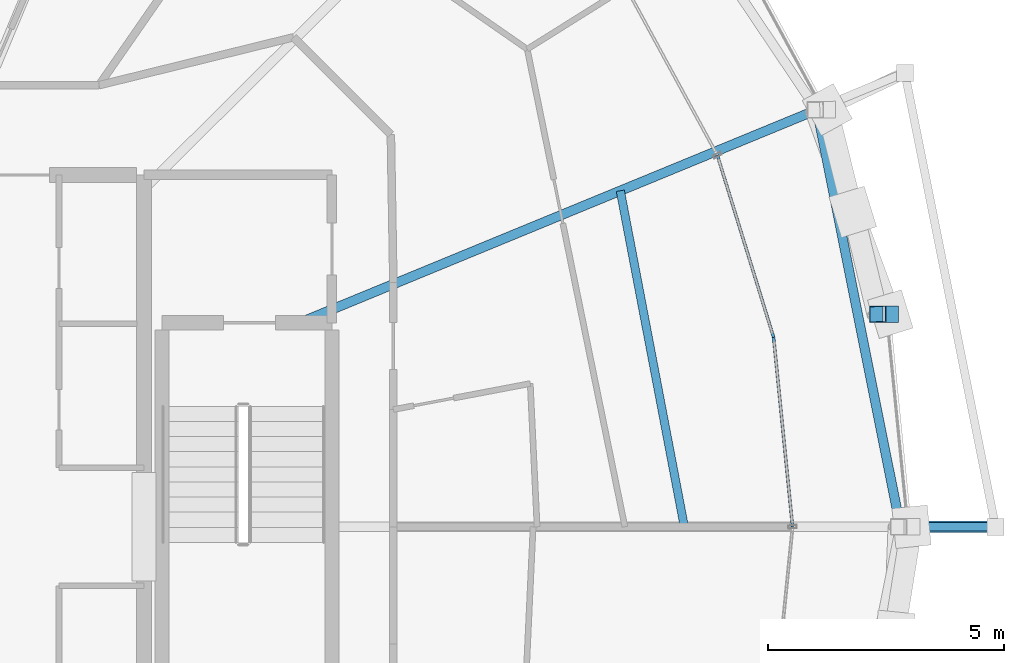
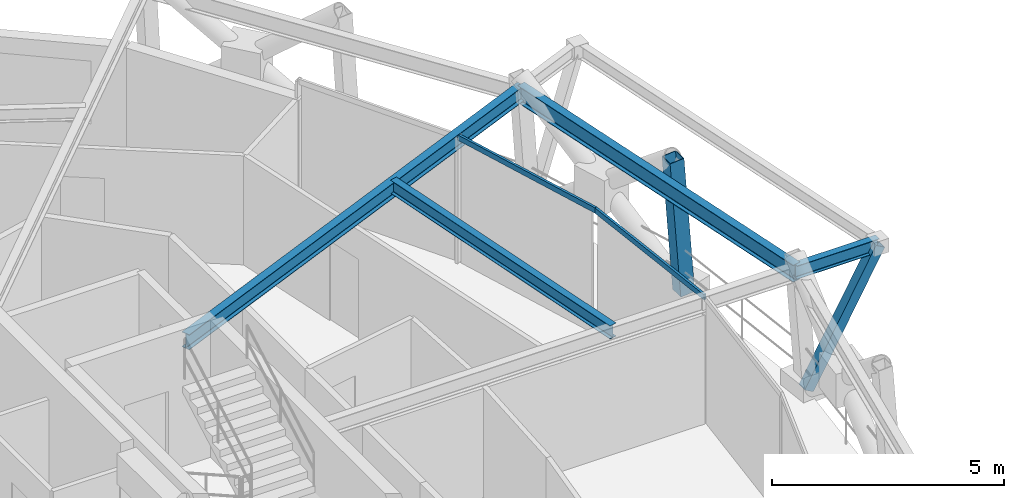
# One storey, part 8 of 18: 4 beams, 4 members, 1 element without a shape of its own.
"""IFC4 building model written with IfcOpenShell, lengths in metres."""

import ifcopenshell
import ifcopenshell.guid

model = None  # the IFC model being written
_history = None  # IfcOwnerHistory: only IFC2X3 demands one
_inside = {}  # id of a spatial element -> (the spatial element, [elements in it])
_under = {}  # id of a project, library or spatial element -> (it, [spatial elements below it])
_declared = {}  # id of a project -> (the project, [libraries it declares])
_typed = {}  # id of a type object -> (the type object, [elements of that type])
_made_of = {}  # id of a material, layer set ... -> (it, [elements and type objects made of it])


def new_model(schema):
    """Start an empty IFC model of exactly this schema.

    Asked for "IFC4X3", IfcOpenShell would pick the latest addendum, in which some entities
    have other attributes; the version numbers below select the first issue.
    IFC2X3 requires an IfcOwnerHistory on every rooted entity: one is made here for all.
    """
    global model, _history
    if schema == "IFC4X3":
        model = ifcopenshell.file(schema_version=(4, 3, 0, 0))
    else:
        model = ifcopenshell.file(schema=schema)
    _inside.clear()
    _under.clear()
    _declared.clear()
    _typed.clear()
    _made_of.clear()
    _history = None
    if model.schema == "IFC2X3":
        org = make("IfcOrganization", Name="unknown")
        user = make(
            "IfcPersonAndOrganization",
            ThePerson=make("IfcPerson", FamilyName="unknown"),
            TheOrganization=org,
        )
        app = make(
            "IfcApplication",
            ApplicationDeveloper=org,
            Version="unknown",
            ApplicationFullName="unknown",
            ApplicationIdentifier="unknown",
        )
        _history = make(
            "IfcOwnerHistory",
            OwningUser=user,
            OwningApplication=app,
            ChangeAction="ADDED",
            CreationDate=0,
        )
    return model


def make(cls, **values):
    """One entity of the class cls with the attributes given. An attribute that is None is left unset."""
    return model.create_entity(
        cls, **{name: value for name, value in values.items() if value is not None}
    )


def rooted(cls, **values):
    """An entity with a GlobalId (a new one), such as an element, a storey or a relation."""
    return make(cls, GlobalId=ifcopenshell.guid.new(), OwnerHistory=_history, **values)


def si_unit(unit_type, name, prefix=None):
    """IfcSIUnit, for example si_unit("LENGTHUNIT", "METRE", prefix="MILLI")."""
    return make("IfcSIUnit", UnitType=unit_type, Prefix=prefix, Name=name)


def assignment(units):
    """IfcUnitAssignment: the units of a project."""
    return None if units is None else make("IfcUnitAssignment", Units=units)


def point(xyz):
    """IfcCartesianPoint."""
    return None if xyz is None else make("IfcCartesianPoint", Coordinates=xyz)


def direction(xyz):
    """IfcDirection."""
    return None if xyz is None else make("IfcDirection", DirectionRatios=xyz)


def frame(location, z_axis=None, x_axis=None):
    """IfcAxis2Placement3D, a coordinate frame: its origin and axes. An axis left out is left unset."""
    return make(
        "IfcAxis2Placement3D",
        Location=point(location),
        Axis=direction(z_axis),
        RefDirection=direction(x_axis),
    )


def frame_2d(location, x_axis=None):
    """IfcAxis2Placement2D, a coordinate frame in the plane: its origin and x axis."""
    return make(
        "IfcAxis2Placement2D", Location=point(location), RefDirection=direction(x_axis)
    )


def origin():
    """The frame at (0, 0, 0) with its axes left unset."""
    return frame((0.0, 0.0, 0.0))


def origin_2d():
    """The frame at (0, 0) in the plane with its x axis left unset."""
    return frame_2d((0.0, 0.0))


def place(relative_to, where):
    """IfcLocalPlacement: puts the frame where relative to a parent placement (None: the world)."""
    return make(
        "IfcLocalPlacement", PlacementRelTo=relative_to, RelativePlacement=where
    )


def context(
    kind, dimensions, precision=None, world=None, true_north=None, identifier=None
):
    """IfcGeometricRepresentationContext, for example the 3D "Model" context."""
    return make(
        "IfcGeometricRepresentationContext",
        ContextIdentifier=identifier,
        ContextType=kind,
        CoordinateSpaceDimension=dimensions,
        Precision=precision,
        WorldCoordinateSystem=world,
        TrueNorth=true_north,
    )


def subcontext(parent, identifier, kind, view, scale=None):
    """IfcGeometricRepresentationSubContext, for example "Body" below "Model"."""
    return make(
        "IfcGeometricRepresentationSubContext",
        ContextIdentifier=identifier,
        ContextType=kind,
        ParentContext=parent,
        TargetScale=scale,
        TargetView=view,
    )


def project(units=None, contexts=None):
    """IfcProject with its units and contexts."""
    return rooted(
        "IfcProject",
        Name="project",
        RepresentationContexts=contexts,
        UnitsInContext=assignment(units),
    )


def spatial(cls, under=None, at=None, **own):
    """A site, building, storey or space (cls), placed at a placement, below another one or the project."""
    s = rooted(cls, ObjectPlacement=at, **own)
    if under is not None:
        _under.setdefault(under.id(), (under, []))[1].append(s)
    return s


def profile(cls, at=None, kind="AREA", **sizes):
    """A parametric profile (cls). Its sizes go by their IFC names, for example OverallWidth=200.0."""
    return make(cls, ProfileType=kind, Position=at, **sizes)


def hollow_rectangle(**sizes):
    """IfcRectangleHollowProfileDef."""
    return profile("IfcRectangleHollowProfileDef", **sizes)


def i_section(**sizes):
    """IfcIShapeProfileDef."""
    return profile("IfcIShapeProfileDef", **sizes)


def extrude(swept, where, along, depth):
    """IfcExtrudedAreaSolid: the profile swept, set in the frame where, extruded along a direction by depth."""
    return make(
        "IfcExtrudedAreaSolid",
        SweptArea=swept,
        Position=where,
        ExtrudedDirection=direction(along),
        Depth=depth,
    )


def shape(context_of_items, identifier, shape_type, items):
    """IfcShapeRepresentation: the items that make up one representation, for example the "Body"."""
    return make(
        "IfcShapeRepresentation",
        ContextOfItems=context_of_items,
        RepresentationIdentifier=identifier,
        RepresentationType=shape_type,
        Items=items,
    )


def material(Name=None, Category=None):
    """IfcMaterial."""
    return make("IfcMaterial", Name=Name, Category=Category)


def layer(
    of_material, thickness, ventilated=None, Name=None, Category=None, Priority=None
):
    """IfcMaterialLayer: one layer of a wall or slab, of a material (None: an air gap)."""
    return make(
        "IfcMaterialLayer",
        Material=of_material,
        LayerThickness=thickness,
        IsVentilated=ventilated,
        Name=Name,
        Category=Category,
        Priority=Priority,
    )


def layer_set(layers, Name=None):
    """IfcMaterialLayerSet."""
    return make("IfcMaterialLayerSet", MaterialLayers=layers, LayerSetName=Name)


def material_profile(
    of_material, cross_section, Name=None, Category=None, Priority=None
):
    """IfcMaterialProfile: a cross section and its material."""
    return make(
        "IfcMaterialProfile",
        Name=Name,
        Material=of_material,
        Profile=cross_section,
        Priority=Priority,
        Category=Category,
    )


def profile_set(profiles, Name=None, composite=None):
    """IfcMaterialProfileSet."""
    return make(
        "IfcMaterialProfileSet",
        Name=Name,
        MaterialProfiles=profiles,
        CompositeProfile=composite,
    )


def made_of(thing, what):
    """Note that an element or type object is made of a material, layer set ...; save() writes the relation."""
    if what is not None:
        _made_of.setdefault(what.id(), (what, []))[1].append(thing)
    return thing


def type_object(cls, material=None, **own):
    """A type object (cls), such as IfcWallType, which elements share."""
    return made_of(rooted(cls, **own), material)


def element(
    cls,
    number,
    at=None,
    inside=None,
    cuts=None,
    type_object=None,
    material=None,
    context=None,
    identifier="Body",
    shape_type=None,
    held_by="IfcProductDefinitionShape",
    body=None,
    shapes=None,
    **own,
):
    """One element of the class cls, such as IfcWall. Its Tag is "e" and its number.

    at: its placement. inside: the storey or other place that contains it. cuts: it is an
    opening in that element (IfcRelVoidsElement). A single representation is given by context,
    identifier, shape_type and body (its items); several are given by shapes. held_by: the class
    of the entity that holds the representations. save() writes the other relations.
    """
    e = rooted(cls, Tag="e%d" % number, ObjectPlacement=at, **own)
    if body is not None:
        shapes = [shape(context, identifier, shape_type, body)]
    if shapes is not None:
        e.Representation = make(held_by, Representations=shapes)
    if inside is not None:
        _inside.setdefault(inside.id(), (inside, []))[1].append(e)
    if cuts is not None:
        rooted(
            "IfcRelVoidsElement", RelatingBuildingElement=cuts, RelatedOpeningElement=e
        )
    if type_object is not None:
        _typed.setdefault(type_object.id(), (type_object, []))[1].append(e)
    return made_of(e, material)


def aggregate(whole, parts):
    """IfcRelAggregates: a whole, such as a stair, and the parts it consists of."""
    return rooted("IfcRelAggregates", RelatingObject=whole, RelatedObjects=parts)


def save(model, path):
    """Write the relations noted so far, then the file.

    IfcRelAggregates (storeys below a building ...), IfcRelContainedInSpatialStructure (elements
    in a storey), IfcRelDefinesByType, IfcRelAssociatesMaterial and IfcRelDeclares: one each for
    every whole, place, type object, material and project.
    """
    for whole, parts in _under.values():
        aggregate(whole, parts)
    for where, things in _inside.values():
        rooted(
            "IfcRelContainedInSpatialStructure",
            RelatedElements=things,
            RelatingStructure=where,
        )
    for kind, things in _typed.values():
        rooted("IfcRelDefinesByType", RelatedObjects=things, RelatingType=kind)
    for what, things in _made_of.values():
        rooted("IfcRelAssociatesMaterial", RelatedObjects=things, RelatingMaterial=what)
    for by, libraries in _declared.values():
        rooted("IfcRelDeclares", RelatingContext=by, RelatedDefinitions=libraries)
    model.write(path)


model = new_model("IFC4")

# Units and contexts
model_context = context("Model", 3, precision=1e-05, world=origin(), true_north=direction((0.0, 1.0)))
body_context = subcontext(model_context, "Body", "Model", "MODEL_VIEW")
ifc_project = project(units=[si_unit("LENGTHUNIT", "METRE"), si_unit("AREAUNIT", "SQUARE_METRE"), si_unit("VOLUMEUNIT", "CUBIC_METRE"), si_unit("PLANEANGLEUNIT", "RADIAN"), si_unit("MASSUNIT", "GRAM", prefix="KILO")], contexts=[model_context])

# Site, building, storey
site_placement = place(None, origin())
site = spatial("IfcSite", under=ifc_project, at=site_placement, CompositionType="ELEMENT")
building_placement = place(site_placement, origin())
building = spatial("IfcBuilding", under=site, at=building_placement, Name="Veldorina Hangang Commons", CompositionType="ELEMENT")
storey_placement = place(building_placement, frame((0.0, 0.0, 243.60009765625)))
storey = spatial("IfcBuildingStorey", under=building, at=storey_placement, Name="L63", CompositionType="ELEMENT", Elevation=243.60009765625)

# Beams
ifc_material_1 = material(Name="Steel SM355-TMC", Category="steel")
ifc_material_profile_1 = material_profile(ifc_material_1, i_section(OverallWidth=0.175048828125, OverallDepth=0.35009765625, WebThickness=0.007080078125, FlangeThickness=0.010986328125, FilletRadius=0.012939453125, at=origin_2d()), Name="H-350x175x7x11")
ifc_profile_set_1 = profile_set([ifc_material_profile_1], Name="Steel SM355-TMC")
beam_type_1 = type_object("IfcBeamType", Name="BM-FG350", PredefinedType="BEAM", material=ifc_profile_set_1)
beam_1_placement = place(storey_placement, frame((55.1796875, 24.0, 3.184814453125), z_axis=(1.0, 0.0, 0.0), x_axis=(0.0, 1.0, 0.0)))
element("IfcBeam", 1, at=beam_1_placement, inside=storey, type_object=beam_type_1, Name="L64 tree balcony 2 bracket beam A", PredefinedType="BEAM", context=body_context, shape_type="SweptSolid", body=[
    extrude(i_section(OverallWidth=0.175048828125, OverallDepth=0.35009765625, WebThickness=0.007080078125, FlangeThickness=0.010986328125, FilletRadius=0.012939453125, at=origin_2d()), origin(), (0.0, 0.0, 1.0), 2.050048828125),
])
ifc_material_profile_2 = material_profile(ifc_material_1, i_section(OverallWidth=0.199951171875, OverallDepth=0.39990234375, WebThickness=0.008056640625, FlangeThickness=0.012939453125, FilletRadius=0.012939453125, at=origin_2d()), Name="H-400x200x8x13")
ifc_profile_set_2 = profile_set([ifc_material_profile_2], Name="Steel SM355-TMC")
beam_type_2 = type_object("IfcBeamType", Name="BM-FG400", PredefinedType="BEAM", material=ifc_profile_set_2)
beam_2_placement = place(storey_placement, frame((42.494384765625, 28.320068359375, 3.159912109375), z_axis=(0.92471608327, 0.380657543394, 0.0), x_axis=(-0.380657543394, 0.92471608327, 0.0)))
element("IfcBeam", 2, at=beam_2_placement, inside=storey, type_object=beam_type_2, Name="L63 radial floor girder 02", PredefinedType="BEAM", context=body_context, shape_type="SweptSolid", body=[
    extrude(i_section(OverallWidth=0.199951171875, OverallDepth=0.39990234375, WebThickness=0.008056640625, FlangeThickness=0.012939453125, FilletRadius=0.012939453125, at=origin_2d()), origin(), (0.0, 0.0, 1.0), 11.845458984375),
])
ifc_material_profile_3 = material_profile(ifc_material_1, i_section(OverallWidth=0.175048828125, OverallDepth=0.35009765625, WebThickness=0.007080078125, FlangeThickness=0.010986328125, FilletRadius=0.012939453125, at=origin_2d()), Name="H-350x175x7x11")
ifc_profile_set_3 = profile_set([ifc_material_profile_3], Name="Steel SM355-TMC")
beam_type_3 = type_object("IfcBeamType", Name="BM-JST350", PredefinedType="JOIST", material=ifc_profile_set_3)
beam_3_placement = place(storey_placement, frame((50.641845703125, 24.0, 3.184814453125), z_axis=(-0.187228265273, 0.98231643409, 0.0), x_axis=(-0.98231643409, -0.187228265273, 0.0)))
element("IfcBeam", 3, at=beam_3_placement, inside=storey, type_object=beam_type_3, Name="L63 secondary floor joist 01", PredefinedType="JOIST", context=body_context, shape_type="SweptSolid", body=[
    extrude(i_section(OverallWidth=0.175048828125, OverallDepth=0.35009765625, WebThickness=0.007080078125, FlangeThickness=0.010986328125, FilletRadius=0.012939453125, at=origin_2d()), origin(), (0.0, 0.0, 1.0), 7.24365234375),
])
ifc_material_profile_4 = material_profile(ifc_material_1, i_section(OverallWidth=0.199951171875, OverallDepth=0.449951171875, WebThickness=0.009033203125, FlangeThickness=0.013916015625, FilletRadius=0.01611328125, at=origin_2d()), Name="H-450x200x9x14")
ifc_profile_set_4 = profile_set([ifc_material_profile_4], Name="Steel SM355-TMC")
beam_type_4 = type_object("IfcBeamType", Name="BM-RB450", PredefinedType="BEAM", material=ifc_profile_set_4)
beam_4_placement = place(storey_placement, frame((55.215087890625, 24.0, 3.135009765625), z_axis=(-0.196251703659, 0.98055355224, 0.0), x_axis=(-0.98055355224, -0.196251703659, 0.0)))
element("IfcBeam", 4, at=beam_4_placement, inside=storey, type_object=beam_type_4, Name="L63 perimeter hoop ring beam 00", PredefinedType="BEAM", context=body_context, shape_type="SweptSolid", body=[
    extrude(i_section(OverallWidth=0.199951171875, OverallDepth=0.449951171875, WebThickness=0.009033203125, FlangeThickness=0.013916015625, FilletRadius=0.01611328125, at=origin_2d()), origin(), (0.0, 0.0, 1.0), 9.004150390625),
])

# Curtain wall, members
ifc_material_2 = material(Name="Glass Low-E Selective", Category="glass")
ifc_layer = layer(ifc_material_2, 0.179931640625)
ifc_layer_set = layer_set([ifc_layer], Name="Glass Low-E Selective")
curtain_wall_type = type_object("IfcCurtainWallType", Name="CW-SYS-Z3", PredefinedType="NOTDEFINED", material=ifc_layer_set)
curtain_wall_placement = place(storey_placement, origin())
curtain_wall = element("IfcCurtainWall", 5, at=curtain_wall_placement, inside=storey, type_object=curtain_wall_type, Name="L63 unitised curtain wall CW-L63-R2", PredefinedType="NOTDEFINED")
ifc_material_3 = material(Name="Aluminium Anodized AA6063-T6", Category="aluminium")
ifc_material_profile_5 = material_profile(ifc_material_3, hollow_rectangle(XDim=0.06005859375, YDim=0.139892578125, WallThickness=0.00341796875, at=origin_2d()), Name="ALU-RHS-140x60x3.5")
ifc_profile_set_5 = profile_set([ifc_material_profile_5], Name="Aluminium Anodized AA6063-T6")
member_type_1 = type_object("IfcMemberType", Name="CW-TRN-140", PredefinedType="USERDEFINED", material=ifc_profile_set_5)
member_1_placement = place(storey_placement, frame((52.93310546875, 24.0, 3.27978515625), z_axis=(-0.099737550636, 0.995013779298, 0.0), x_axis=(-0.995013779298, -0.099737550636, 0.0)))
member_1 = element("IfcMember", 6, at=member_1_placement, type_object=member_type_1, Name="CW-L63-R2 facet 3 transom 1", ObjectType="TRANSOM", PredefinedType="USERDEFINED", context=body_context, shape_type="SweptSolid", body=[
    extrude(hollow_rectangle(XDim=0.06005859375, YDim=0.139892578125, WallThickness=0.00341796875, at=origin_2d()), origin(), (0.0, 0.0, 1.0), 4.031494140625),
])
member_2_placement = place(storey_placement, frame((52.531005859375, 28.011474609375, 3.27978515625), z_axis=(-0.295067382863, 0.955476446371, 0.0), x_axis=(-0.955476446371, -0.295067382863, 0.0)))
member_2 = element("IfcMember", 7, at=member_2_placement, type_object=member_type_1, Name="CW-L63-R2 facet 4 transom 1", ObjectType="TRANSOM", PredefinedType="USERDEFINED", context=body_context, shape_type="SweptSolid", body=[
    extrude(hollow_rectangle(XDim=0.06005859375, YDim=0.139892578125, WallThickness=0.00341796875, at=origin_2d()), origin(), (0.0, 0.0, 1.0), 4.036865234375),
])
aggregate(curtain_wall, [member_1, member_2])

# Members
ifc_material_profile_6 = material_profile(ifc_material_1, hollow_rectangle(XDim=0.25, YDim=0.25, WallThickness=0.011962890625, at=origin_2d()), Name="SHS-250x250x12")
ifc_profile_set_6 = profile_set([ifc_material_profile_6], Name="Steel SM355-TMC")
member_type_2 = type_object("IfcMemberType", Name="STR-SHS250", PredefinedType="STRUT", material=ifc_profile_set_6)
member_3_placement = place(storey_placement, frame((55.453125, 24.0, 0.0), z_axis=(0.487165529465, 0.0, 0.873309651213), x_axis=(0.0, 1.0, 0.0)))
element("IfcMember", 8, at=member_3_placement, inside=storey, type_object=member_type_2, Name="L64 tree balcony 2 raking knee strut A", PredefinedType="STRUT", context=body_context, shape_type="SweptSolid", body=[
    extrude(hollow_rectangle(XDim=0.25, YDim=0.25, WallThickness=0.011962890625, at=origin_2d()), origin(), (0.0, 0.0, 1.0), 3.646728515625),
])
ifc_material_profile_7 = material_profile(ifc_material_1, hollow_rectangle(XDim=0.35009765625, YDim=0.35009765625, WallThickness=0.01611328125, at=origin_2d()), Name="SHS-350x350x16")
ifc_profile_set_7 = profile_set([ifc_material_profile_7], Name="Steel SM355-TMC")
member_type_3 = type_object("IfcMemberType", Name="STR-SHS350", PredefinedType="STRUT", material=ifc_profile_set_7)
member_4_placement = place(storey_placement, frame((55.002685546875, 28.5029296875, 0.0), z_axis=(-0.074327557241, -0.000608687912, 0.997233695647), x_axis=(0.008188988378, -0.999966469673, 0.0)))
element("IfcMember", 9, at=member_4_placement, inside=storey, type_object=member_type_3, Name="L63 perimeter ring node post 01", PredefinedType="STRUT", context=body_context, shape_type="SweptSolid", body=[
    extrude(hollow_rectangle(XDim=0.35009765625, YDim=0.35009765625, WallThickness=0.01611328125, at=origin_2d()), origin(), (0.0, 0.0, 1.0), 3.60986328125),
])

save(model, "model.ifc")
